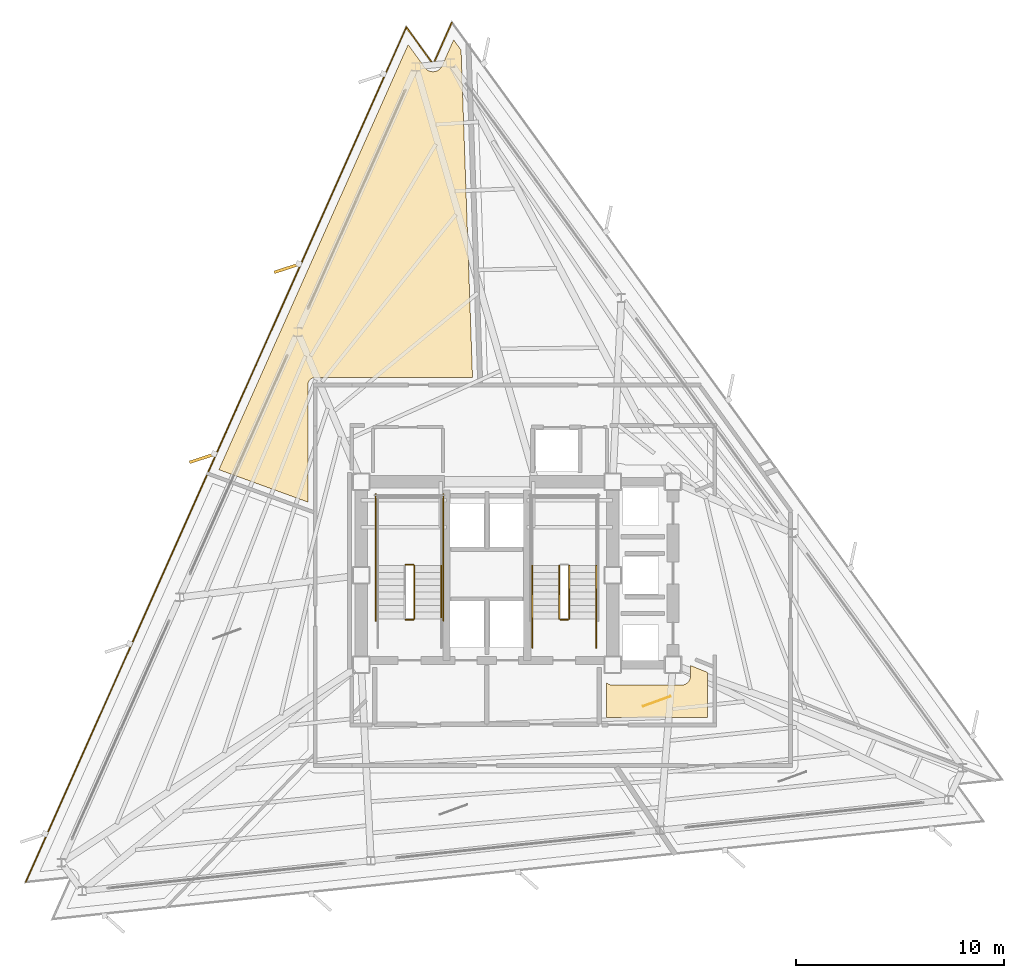
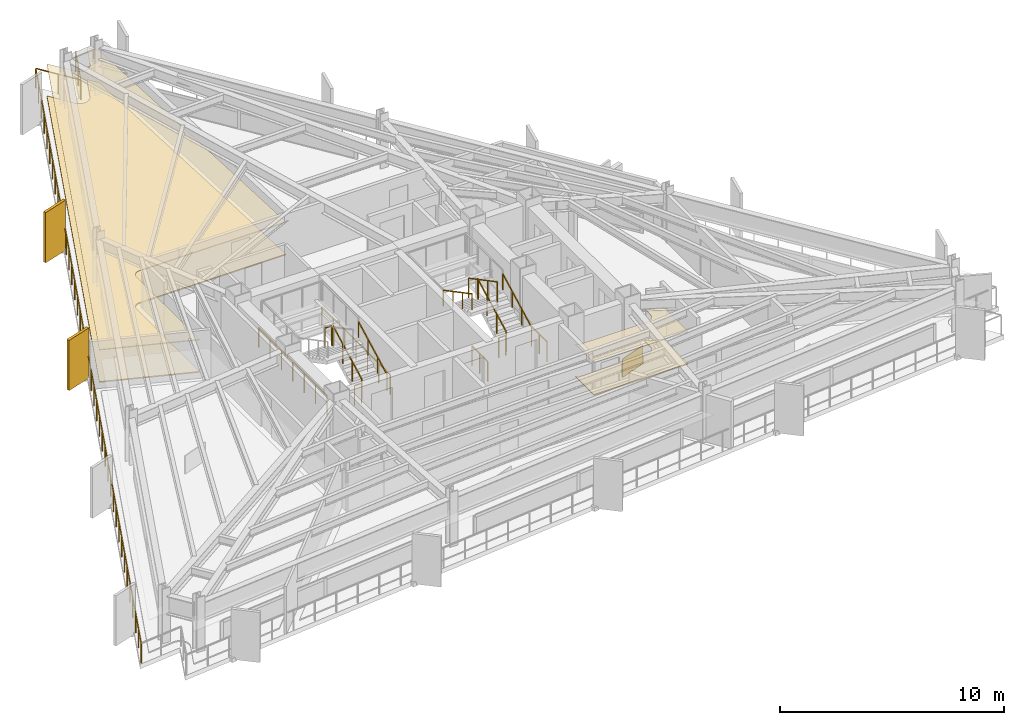
# One storey, part 11 of 13: 14 railings, 5 coverings, 2 shading devices.
"""IFC4 building model written with IfcOpenShell, lengths in metres."""

from ifc_helpers import new_model, si_unit, direction, frame, origin, origin_2d, place, context, subcontext, project, spatial, polyline, rectangle, outline, extrude, material, layer, layer_set, type_object, element, save


model = new_model("IFC4")

# Units and contexts
model_context = context("Model", 3, precision=1e-05, world=origin(), true_north=direction((0.0, 1.0)))
body_context = subcontext(model_context, "Body", "Model", "MODEL_VIEW")
ifc_project = project(units=[si_unit("LENGTHUNIT", "METRE"), si_unit("AREAUNIT", "SQUARE_METRE"), si_unit("VOLUMEUNIT", "CUBIC_METRE"), si_unit("PLANEANGLEUNIT", "RADIAN"), si_unit("MASSUNIT", "GRAM", prefix="KILO")], contexts=[model_context])

# Site, building, storey
site_placement = place(None, origin())
site = spatial("IfcSite", under=ifc_project, at=site_placement, CompositionType="ELEMENT")
building_placement = place(site_placement, origin())
building = spatial("IfcBuilding", under=site, at=building_placement, Name="Rocaltana Carrier Exchange", CompositionType="ELEMENT")
storey_placement = place(building_placement, frame((0.0, 0.0, 122.8798828125)))
storey = spatial("IfcBuildingStorey", under=building, at=storey_placement, Name="L38", CompositionType="ELEMENT", Elevation=122.8798828125)

# Coverings
ifc_material_1 = material(Name="Calcium Sulphate & Aluminium Pedestal", Category="aluminium")
ifc_layer_1 = layer(ifc_material_1, 0.06005859375)
ifc_layer_set_1 = layer_set([ifc_layer_1], Name="Calcium Sulphate & Aluminium Pedestal")
covering_type_1 = type_object("IfcCoveringType", Name="Anti-Static Raised Exchange Access Floor 60", PredefinedType="FLOORING", material=ifc_layer_set_1)
covering_1_placement = place(storey_placement, origin())
element("IfcCovering", 1, at=covering_1_placement, inside=storey, type_object=covering_type_1, Name="L38 Cloud Architecture Office Finish Floor", PredefinedType="FLOORING", context=body_context, shape_type="SweptSolid", body=[
    extrude(outline(polyline([(5.739990234375, -6.840087890625), (5.739990234375, -5.161865234375), (5.748779296875, -5.170654296875), (5.760498046875, -5.18115234375), (5.78173828125, -5.198486328125), (5.794189453125, -5.2080078125), (5.817138671875, -5.22314453125), (5.83056640625, -5.231201171875), (5.85498046875, -5.244140625), (5.869140625, -5.2509765625), (5.894287109375, -5.261474609375), (5.9091796875, -5.2666015625), (5.935546875, -5.274658203125), (5.95068359375, -5.278564453125), (5.977783203125, -5.283935546875), (5.9931640625, -5.2861328125), (6.0205078125, -5.288818359375), (6.036376953125, -5.289794921875), (6.050048828125, -5.2900390625), (9.35009765625, -5.2900390625), (9.36376953125, -5.289794921875), (9.37939453125, -5.288818359375), (9.40673828125, -5.2861328125), (9.42236328125, -5.283935546875), (9.44921875, -5.278564453125), (9.464599609375, -5.274658203125), (9.49072265625, -5.2666015625), (9.505615234375, -5.261474609375), (9.531005859375, -5.2509765625), (9.545166015625, -5.244140625), (9.5693359375, -5.231201171875), (9.582763671875, -5.22314453125), (9.605712890625, -5.2080078125), (9.618408203125, -5.198486328125), (9.639404296875, -5.18115234375), (9.651123046875, -5.170654296875), (9.670654296875, -5.151123046875), (9.68115234375, -5.139404296875), (9.698486328125, -5.118408203125), (9.7080078125, -5.105712890625), (9.72314453125, -5.082763671875), (9.731201171875, -5.0693359375), (9.744140625, -5.045166015625), (9.7509765625, -5.031005859375), (9.761474609375, -5.005615234375), (9.7666015625, -4.99072265625), (9.774658203125, -4.964599609375), (9.778564453125, -4.94921875), (9.783935546875, -4.92236328125), (9.7861328125, -4.90673828125), (9.788818359375, -4.87939453125), (9.789794921875, -4.86376953125), (9.7900390625, -4.85009765625), (9.7900390625, -4.34375), (10.60009765625, -4.6708984375), (10.60009765625, -6.840087890625), (5.739990234375, -6.840087890625)])), origin(), (0.0, 0.0, 1.0), 0.06005859375),
])
covering_2_placement = place(storey_placement, origin())
element("IfcCovering", 2, at=covering_2_placement, inside=storey, type_object=covering_type_1, Name="L38 Quiet Focus Lounge Finish Floor", PredefinedType="FLOORING", context=body_context, shape_type="SweptSolid", body=[
    extrude(outline(polyline([(-3.787841796875, 25.51513671875), (-2.9833984375, 24.407958984375), (-2.974853515625, 24.39697265625), (-2.96240234375, 24.38134765625), (-2.943603515625, 24.360595703125), (-2.9296875, 24.34619140625), (-2.9091796875, 24.327392578125), (-2.893798828125, 24.314697265625), (-2.87158203125, 24.2978515625), (-2.85498046875, 24.286865234375), (-2.8310546875, 24.272216796875), (-2.8134765625, 24.262939453125), (-2.788330078125, 24.2509765625), (-2.77001953125, 24.243408203125), (-2.74365234375, 24.23388671875), (-2.724609375, 24.22802734375), (-2.697509765625, 24.22119140625), (-2.677978515625, 24.217529296875), (-2.650390625, 24.21337890625), (-2.630615234375, 24.211669921875), (-2.6025390625, 24.210205078125), (-2.58251953125, 24.21044921875), (-2.5546875, 24.2119140625), (-2.534912109375, 24.214111328125), (-2.50732421875, 24.21826171875), (-2.48779296875, 24.222412109375), (-2.460693359375, 24.2294921875), (-2.44189453125, 24.2353515625), (-2.41552734375, 24.2451171875), (-2.397216796875, 24.2529296875), (-2.372314453125, 24.26513671875), (-2.354736328125, 24.274658203125), (-2.3310546875, 24.289306640625), (-2.314697265625, 24.30078125), (-2.29248046875, 24.317626953125), (-2.277099609375, 24.33056640625), (-2.2568359375, 24.349609375), (-2.242919921875, 24.364013671875), (-2.224609375, 24.385009765625), (-2.212158203125, 24.400634765625), (-2.196044921875, 24.42333984375), (-2.185302734375, 24.440185546875), (-2.17138671875, 24.464599609375), (-2.16259765625, 24.482421875), (-2.156494140625, 24.494873046875), (-1.599853515625, 25.7451171875), (-1.2421875, 25.252685546875), (-0.6923828125, 9.510009765625), (-8.25, 9.510009765625), (-8.263671875, 9.509765625), (-8.271484375, 9.50927734375), (-8.298828125, 9.506591796875), (-8.306640625, 9.50537109375), (-8.33349609375, 9.5), (-8.34130859375, 9.498291015625), (-8.36767578125, 9.490234375), (-8.375, 9.487548828125), (-8.400390625, 9.47705078125), (-8.407470703125, 9.4736328125), (-8.431640625, 9.460693359375), (-8.4384765625, 9.456787109375), (-8.461181640625, 9.44140625), (-8.467529296875, 9.436767578125), (-8.48876953125, 9.419189453125), (-8.49462890625, 9.4140625), (-8.513916015625, 9.39453125), (-8.519287109375, 9.388916015625), (-8.53662109375, 9.367431640625), (-8.54150390625, 9.361083984375), (-8.556640625, 9.33837890625), (-8.560791015625, 9.331787109375), (-8.57373046875, 9.307373046875), (-8.576904296875, 9.30029296875), (-8.58740234375, 9.27490234375), (-8.590087890625, 9.267578125), (-8.59814453125, 9.2412109375), (-8.60009765625, 9.233642578125), (-8.60546875, 9.206787109375), (-8.606689453125, 9.198974609375), (-8.609375, 9.171630859375), (-8.609619140625, 9.163818359375), (-8.610107421875, 9.14990234375), (-8.610107421875, 3.516845703125), (-12.888671875, 5.07421875), (-3.787841796875, 25.51513671875)])), origin(), (0.0, 0.0, 1.0), 0.06005859375),
])
ifc_material_2 = material(Name="Mineral Fibre & Powder-Coated Aluminium", Category="aluminium")
ifc_layer_2 = layer(ifc_material_2, 0.044921875)
ifc_layer_set_2 = layer_set([ifc_layer_2], Name="Mineral Fibre & Powder-Coated Aluminium")
covering_type_2 = type_object("IfcCoveringType", Name="Micro-Perforated Acoustic Ceiling 45", PredefinedType="CEILING", material=ifc_layer_set_2)
covering_3_placement = place(storey_placement, frame((0.0, 0.0, 1.76318359375)))
element("IfcCovering", 3, at=covering_3_placement, inside=storey, type_object=covering_type_2, Name="L38 Cloud Architecture Office Acoustic Ceiling", PredefinedType="CEILING", context=body_context, shape_type="SweptSolid", body=[
    extrude(outline(polyline([(5.739990234375, -6.840087890625), (5.739990234375, -5.161865234375), (5.748779296875, -5.170654296875), (5.760498046875, -5.18115234375), (5.78173828125, -5.198486328125), (5.794189453125, -5.2080078125), (5.817138671875, -5.22314453125), (5.83056640625, -5.231201171875), (5.85498046875, -5.244140625), (5.869140625, -5.2509765625), (5.894287109375, -5.261474609375), (5.9091796875, -5.2666015625), (5.935546875, -5.274658203125), (5.95068359375, -5.278564453125), (5.977783203125, -5.283935546875), (5.9931640625, -5.2861328125), (6.0205078125, -5.288818359375), (6.036376953125, -5.289794921875), (6.050048828125, -5.2900390625), (9.35009765625, -5.2900390625), (9.36376953125, -5.289794921875), (9.37939453125, -5.288818359375), (9.40673828125, -5.2861328125), (9.42236328125, -5.283935546875), (9.44921875, -5.278564453125), (9.464599609375, -5.274658203125), (9.49072265625, -5.2666015625), (9.505615234375, -5.261474609375), (9.531005859375, -5.2509765625), (9.545166015625, -5.244140625), (9.5693359375, -5.231201171875), (9.582763671875, -5.22314453125), (9.605712890625, -5.2080078125), (9.618408203125, -5.198486328125), (9.639404296875, -5.18115234375), (9.651123046875, -5.170654296875), (9.670654296875, -5.151123046875), (9.68115234375, -5.139404296875), (9.698486328125, -5.118408203125), (9.7080078125, -5.105712890625), (9.72314453125, -5.082763671875), (9.731201171875, -5.0693359375), (9.744140625, -5.045166015625), (9.7509765625, -5.031005859375), (9.761474609375, -5.005615234375), (9.7666015625, -4.99072265625), (9.774658203125, -4.964599609375), (9.778564453125, -4.94921875), (9.783935546875, -4.92236328125), (9.7861328125, -4.90673828125), (9.788818359375, -4.87939453125), (9.789794921875, -4.86376953125), (9.7900390625, -4.85009765625), (9.7900390625, -4.34375), (10.60009765625, -4.6708984375), (10.60009765625, -6.840087890625), (5.739990234375, -6.840087890625)])), origin(), (0.0, 0.0, 1.0), 0.044921875),
])
covering_4_placement = place(storey_placement, frame((0.0, 0.0, 1.76318359375)))
element("IfcCovering", 4, at=covering_4_placement, inside=storey, type_object=covering_type_2, Name="L38 Quiet Focus Lounge Acoustic Ceiling", PredefinedType="CEILING", context=body_context, shape_type="SweptSolid", body=[
    extrude(outline(polyline([(-3.787841796875, 25.51513671875), (-2.9833984375, 24.407958984375), (-2.974853515625, 24.39697265625), (-2.96240234375, 24.38134765625), (-2.943603515625, 24.360595703125), (-2.9296875, 24.34619140625), (-2.9091796875, 24.327392578125), (-2.893798828125, 24.314697265625), (-2.87158203125, 24.2978515625), (-2.85498046875, 24.286865234375), (-2.8310546875, 24.272216796875), (-2.8134765625, 24.262939453125), (-2.788330078125, 24.2509765625), (-2.77001953125, 24.243408203125), (-2.74365234375, 24.23388671875), (-2.724609375, 24.22802734375), (-2.697509765625, 24.22119140625), (-2.677978515625, 24.217529296875), (-2.650390625, 24.21337890625), (-2.630615234375, 24.211669921875), (-2.6025390625, 24.210205078125), (-2.58251953125, 24.21044921875), (-2.5546875, 24.2119140625), (-2.534912109375, 24.214111328125), (-2.50732421875, 24.21826171875), (-2.48779296875, 24.222412109375), (-2.460693359375, 24.2294921875), (-2.44189453125, 24.2353515625), (-2.41552734375, 24.2451171875), (-2.397216796875, 24.2529296875), (-2.372314453125, 24.26513671875), (-2.354736328125, 24.274658203125), (-2.3310546875, 24.289306640625), (-2.314697265625, 24.30078125), (-2.29248046875, 24.317626953125), (-2.277099609375, 24.33056640625), (-2.2568359375, 24.349609375), (-2.242919921875, 24.364013671875), (-2.224609375, 24.385009765625), (-2.212158203125, 24.400634765625), (-2.196044921875, 24.42333984375), (-2.185302734375, 24.440185546875), (-2.17138671875, 24.464599609375), (-2.16259765625, 24.482421875), (-2.156494140625, 24.494873046875), (-1.599853515625, 25.7451171875), (-1.2421875, 25.252685546875), (-0.6923828125, 9.510009765625), (-8.25, 9.510009765625), (-8.263671875, 9.509765625), (-8.271484375, 9.50927734375), (-8.298828125, 9.506591796875), (-8.306640625, 9.50537109375), (-8.33349609375, 9.5), (-8.34130859375, 9.498291015625), (-8.36767578125, 9.490234375), (-8.375, 9.487548828125), (-8.400390625, 9.47705078125), (-8.407470703125, 9.4736328125), (-8.431640625, 9.460693359375), (-8.4384765625, 9.456787109375), (-8.461181640625, 9.44140625), (-8.467529296875, 9.436767578125), (-8.48876953125, 9.419189453125), (-8.49462890625, 9.4140625), (-8.513916015625, 9.39453125), (-8.519287109375, 9.388916015625), (-8.53662109375, 9.367431640625), (-8.54150390625, 9.361083984375), (-8.556640625, 9.33837890625), (-8.560791015625, 9.331787109375), (-8.57373046875, 9.307373046875), (-8.576904296875, 9.30029296875), (-8.58740234375, 9.27490234375), (-8.590087890625, 9.267578125), (-8.59814453125, 9.2412109375), (-8.60009765625, 9.233642578125), (-8.60546875, 9.206787109375), (-8.606689453125, 9.198974609375), (-8.609375, 9.171630859375), (-8.609619140625, 9.163818359375), (-8.610107421875, 9.14990234375), (-8.610107421875, 3.516845703125), (-12.888671875, 5.07421875), (-3.787841796875, 25.51513671875)])), origin(), (0.0, 0.0, 1.0), 0.044921875),
])

# Railings
ifc_material_3 = material(Name="Brushed Architectural Stainless Tube", Category="steel")
ifc_layer_3 = layer(ifc_material_3, 0.048095703125)
ifc_layer_set_3 = layer_set([ifc_layer_3], Name="Brushed Architectural Stainless Tube")
railing_type_1 = type_object("IfcRailingType", Name="Stair Wall Handrail 920", PredefinedType="HANDRAIL", material=ifc_layer_set_3)
for number, where, name in (
    (5, (-2.18994140625, -2.10009765625, 0.1689453125), "L38 ST-1 stair handrail 1"),
    (6, (5.25, -2.10009765625, 0.1689453125), "L38 ST-2 stair handrail 1"),
):
    element("IfcRailing", number, at=place(storey_placement, frame(where)), inside=storey, type_object=railing_type_1, Name=name, PredefinedType="HANDRAIL", context=body_context, shape_type="SweptSolid", body=[
        extrude(rectangle(XDim=0.048095703125, YDim=0.048095703125, at=origin_2d()), frame((0.0, 0.0, 0.8759765625), z_axis=(0.0, 0.884394423565, 0.466740295633), x_axis=(-1.0, 0.0, 0.0)), (0.0, 0.0, 1.0), 2.894775390625),
        extrude(rectangle(XDim=0.0419921875, YDim=0.0419921875, at=origin_2d()), origin(), (0.0, 0.0, 1.0), 0.851806640625),
        extrude(rectangle(XDim=0.0419921875, YDim=0.0419921875, at=origin_2d()), frame((0.0, 0.853271484375, 0.450439453125)), (0.0, 0.0, 1.0), 0.851806640625),
        extrude(rectangle(XDim=0.0419921875, YDim=0.0419921875, at=origin_2d()), frame((0.0, 1.706787109375, 0.900634765625)), (0.0, 0.0, 1.0), 0.851806640625),
        extrude(rectangle(XDim=0.0419921875, YDim=0.0419921875, at=origin_2d()), frame((0.0, 2.56005859375, 1.35107421875)), (0.0, 0.0, 1.0), 0.851806640625),
    ])
railing_1_placement = place(storey_placement, frame((2.18994140625, 0.4599609375, 1.68896484375)))
element("IfcRailing", 7, at=railing_1_placement, inside=storey, type_object=railing_type_1, Name="L38 ST-2 stair handrail 2", PredefinedType="HANDRAIL", context=body_context, shape_type="SweptSolid", body=[
    extrude(rectangle(XDim=0.048095703125, YDim=0.048095703125, at=origin_2d()), frame((0.0, 0.0, 0.8759765625), z_axis=(0.0, -0.884394423565, 0.466740295633), x_axis=(1.0, 0.0, 0.0)), (0.0, 0.0, 1.0), 2.894775390625),
    extrude(rectangle(XDim=0.0419921875, YDim=0.0419921875, at=origin_2d()), origin(), (0.0, 0.0, 1.0), 0.851806640625),
    extrude(rectangle(XDim=0.0419921875, YDim=0.0419921875, at=origin_2d()), frame((0.0, -0.853271484375, 0.450439453125)), (0.0, 0.0, 1.0), 0.851806640625),
    extrude(rectangle(XDim=0.0419921875, YDim=0.0419921875, at=origin_2d()), frame((0.0, -1.706787109375, 0.900634765625)), (0.0, 0.0, 1.0), 0.851806640625),
    extrude(rectangle(XDim=0.0419921875, YDim=0.0419921875, at=origin_2d()), frame((0.0, -2.56005859375, 1.35107421875)), (0.0, 0.0, 1.0), 0.851806640625),
])
ifc_material_4 = material(Name="Powder-Coated Aluminium 6063-T6", Category="aluminium")
ifc_layer_4 = layer(ifc_material_4, 0.048095703125)
ifc_layer_set_4 = layer_set([ifc_layer_4], Name="Powder-Coated Aluminium 6063-T6")
railing_type_2 = type_object("IfcRailingType", Name="Stair Well Guardrail 1100", PredefinedType="GUARDRAIL", material=ifc_layer_set_4)
railing_2_placement = place(storey_placement, frame((-3.489990234375, -2.10009765625, 0.1689453125)))
element("IfcRailing", 8, at=railing_2_placement, inside=storey, type_object=railing_type_2, Name="L38 ST-1 stair guard 1", PredefinedType="GUARDRAIL", context=body_context, shape_type="SweptSolid", body=[
    extrude(rectangle(XDim=0.048095703125, YDim=0.048095703125, at=origin_2d()), frame((0.0, 0.0, 1.076171875), z_axis=(0.0, 0.884394423565, 0.466740295633), x_axis=(-1.0, 0.0, 0.0)), (0.0, 0.0, 1.0), 2.894775390625),
    extrude(rectangle(XDim=0.0419921875, YDim=0.0419921875, at=origin_2d()), origin(), (0.0, 0.0, 1.0), 1.052001953125),
    extrude(rectangle(XDim=0.0419921875, YDim=0.0419921875, at=origin_2d()), frame((0.0, 0.853271484375, 0.450439453125)), (0.0, 0.0, 1.0), 1.052001953125),
    extrude(rectangle(XDim=0.0419921875, YDim=0.0419921875, at=origin_2d()), frame((0.0, 1.706787109375, 0.900634765625)), (0.0, 0.0, 1.0), 1.052001953125),
    extrude(rectangle(XDim=0.0419921875, YDim=0.0419921875, at=origin_2d()), frame((0.0, 2.56005859375, 1.35107421875)), (0.0, 0.0, 1.0), 1.052001953125),
])
for number, where, name in (
    (9, (-3.5400390625, 0.510009765625, 1.52001953125), "L38 ST-1 stair guard 2"),
    (10, (-3.5400390625, -2.14990234375, 0.0), "L38 ST-1 stair guard 7"),
):
    element("IfcRailing", number, at=place(storey_placement, frame(where)), inside=storey, type_object=railing_type_2, Name=name, PredefinedType="GUARDRAIL", context=body_context, shape_type="SweptSolid", body=[
        extrude(rectangle(XDim=0.048095703125, YDim=0.048095703125, at=origin_2d()), frame((0.0, 0.0, 1.076171875), z_axis=(-1.0, 0.0, 0.0), x_axis=(0.0, -1.0, 0.0)), (0.0, 0.0, 1.0), 0.35986328125),
        extrude(rectangle(XDim=0.0419921875, YDim=0.0419921875, at=origin_2d()), origin(), (0.0, 0.0, 1.0), 1.052001953125),
        extrude(rectangle(XDim=0.0419921875, YDim=0.0419921875, at=origin_2d()), frame((-0.35986328125, 0.0, 0.0)), (0.0, 0.0, 1.0), 1.052001953125),
    ])
for number, where, name in (
    (11, (-2.090087890625, -2.199951171875, 0.0), "L38 ST-1 stair guard 10"),
    (12, (-5.35009765625, -2.199951171875, 0.0), "L38 ST-1 stair guard 11"),
):
    element("IfcRailing", number, at=place(storey_placement, frame(where)), inside=storey, type_object=railing_type_2, Name=name, PredefinedType="GUARDRAIL", context=body_context, shape_type="SweptSolid", body=[
        extrude(rectangle(XDim=0.048095703125, YDim=0.048095703125, at=origin_2d()), frame((0.0, 0.0, 1.076171875), z_axis=(0.0, 1.0, 0.0), x_axis=(-1.0, 0.0, 0.0)), (0.0, 0.0, 1.0), 6.099853515625),
        extrude(rectangle(XDim=0.0419921875, YDim=0.0419921875, at=origin_2d()), origin(), (0.0, 0.0, 1.0), 1.052001953125),
        extrude(rectangle(XDim=0.0419921875, YDim=0.0419921875, at=origin_2d()), frame((0.0, 1.0166015625, 0.0)), (0.0, 0.0, 1.0), 1.052001953125),
        extrude(rectangle(XDim=0.0419921875, YDim=0.0419921875, at=origin_2d()), frame((0.0, 2.033203125, 0.0)), (0.0, 0.0, 1.0), 1.052001953125),
        extrude(rectangle(XDim=0.0419921875, YDim=0.0419921875, at=origin_2d()), frame((0.0, 3.0498046875, 0.0)), (0.0, 0.0, 1.0), 1.052001953125),
        extrude(rectangle(XDim=0.0419921875, YDim=0.0419921875, at=origin_2d()), frame((0.0, 4.066650390625, 0.0)), (0.0, 0.0, 1.0), 1.052001953125),
        extrude(rectangle(XDim=0.0419921875, YDim=0.0419921875, at=origin_2d()), frame((0.0, 5.083251953125, 0.0)), (0.0, 0.0, 1.0), 1.052001953125),
        extrude(rectangle(XDim=0.0419921875, YDim=0.0419921875, at=origin_2d()), frame((0.0, 6.099853515625, 0.0)), (0.0, 0.0, 1.0), 1.052001953125),
    ])
railing_3_placement = place(storey_placement, frame((3.949951171875, -2.10009765625, 0.1689453125)))
element("IfcRailing", 13, at=railing_3_placement, inside=storey, type_object=railing_type_2, Name="L38 ST-2 stair guard 1", PredefinedType="GUARDRAIL", context=body_context, shape_type="SweptSolid", body=[
    extrude(rectangle(XDim=0.048095703125, YDim=0.048095703125, at=origin_2d()), frame((0.0, 0.0, 1.076171875), z_axis=(0.0, 0.884394423565, 0.466740295633), x_axis=(-1.0, 0.0, 0.0)), (0.0, 0.0, 1.0), 2.894775390625),
    extrude(rectangle(XDim=0.0419921875, YDim=0.0419921875, at=origin_2d()), origin(), (0.0, 0.0, 1.0), 1.052001953125),
    extrude(rectangle(XDim=0.0419921875, YDim=0.0419921875, at=origin_2d()), frame((0.0, 0.853271484375, 0.450439453125)), (0.0, 0.0, 1.0), 1.052001953125),
    extrude(rectangle(XDim=0.0419921875, YDim=0.0419921875, at=origin_2d()), frame((0.0, 1.706787109375, 0.900634765625)), (0.0, 0.0, 1.0), 1.052001953125),
    extrude(rectangle(XDim=0.0419921875, YDim=0.0419921875, at=origin_2d()), frame((0.0, 2.56005859375, 1.35107421875)), (0.0, 0.0, 1.0), 1.052001953125),
])
railing_4_placement = place(storey_placement, frame((3.489990234375, 0.4599609375, 1.68896484375)))
element("IfcRailing", 14, at=railing_4_placement, inside=storey, type_object=railing_type_2, Name="L38 ST-2 stair guard 6", PredefinedType="GUARDRAIL", context=body_context, shape_type="SweptSolid", body=[
    extrude(rectangle(XDim=0.048095703125, YDim=0.048095703125, at=origin_2d()), frame((0.0, 0.0, 1.076171875), z_axis=(0.0, -0.884394423565, 0.466740295633), x_axis=(1.0, 0.0, 0.0)), (0.0, 0.0, 1.0), 2.894775390625),
    extrude(rectangle(XDim=0.0419921875, YDim=0.0419921875, at=origin_2d()), origin(), (0.0, 0.0, 1.0), 1.052001953125),
    extrude(rectangle(XDim=0.0419921875, YDim=0.0419921875, at=origin_2d()), frame((0.0, -0.853271484375, 0.450439453125)), (0.0, 0.0, 1.0), 1.052001953125),
    extrude(rectangle(XDim=0.0419921875, YDim=0.0419921875, at=origin_2d()), frame((0.0, -1.706787109375, 0.900634765625)), (0.0, 0.0, 1.0), 1.052001953125),
    extrude(rectangle(XDim=0.0419921875, YDim=0.0419921875, at=origin_2d()), frame((0.0, -2.56005859375, 1.35107421875)), (0.0, 0.0, 1.0), 1.052001953125),
])
railing_5_placement = place(storey_placement, frame((3.89990234375, -2.14990234375, 0.0)))
element("IfcRailing", 15, at=railing_5_placement, inside=storey, type_object=railing_type_2, Name="L38 ST-2 stair guard 7", PredefinedType="GUARDRAIL", context=body_context, shape_type="SweptSolid", body=[
    extrude(rectangle(XDim=0.048095703125, YDim=0.048095703125, at=origin_2d()), frame((0.0, 0.0, 1.076171875), z_axis=(-1.0, 0.0, 0.0), x_axis=(0.0, -1.0, 0.0)), (0.0, 0.0, 1.0), 0.35986328125),
    extrude(rectangle(XDim=0.0419921875, YDim=0.0419921875, at=origin_2d()), origin(), (0.0, 0.0, 1.0), 1.052001953125),
    extrude(rectangle(XDim=0.0419921875, YDim=0.0419921875, at=origin_2d()), frame((-0.35986328125, 0.0, 0.0)), (0.0, 0.0, 1.0), 1.052001953125),
])
for number, where, name in (
    (16, (5.25, -3.5, 0.0), "L38 ST-2 stair guard 8"),
    (17, (2.18994140625, -3.5, 0.0), "L38 ST-2 stair guard 9"),
):
    element("IfcRailing", number, at=place(storey_placement, frame(where)), inside=storey, type_object=railing_type_2, Name=name, PredefinedType="GUARDRAIL", context=body_context, shape_type="SweptSolid", body=[
        extrude(rectangle(XDim=0.048095703125, YDim=0.048095703125, at=origin_2d()), frame((0.0, 0.0, 1.076171875), z_axis=(0.0, 1.0, 0.0), x_axis=(-1.0, 0.0, 0.0)), (0.0, 0.0, 1.0), 1.39990234375),
        extrude(rectangle(XDim=0.0419921875, YDim=0.0419921875, at=origin_2d()), origin(), (0.0, 0.0, 1.0), 1.052001953125),
        extrude(rectangle(XDim=0.0419921875, YDim=0.0419921875, at=origin_2d()), frame((0.0, 0.699951171875, 0.0)), (0.0, 0.0, 1.0), 1.052001953125),
        extrude(rectangle(XDim=0.0419921875, YDim=0.0419921875, at=origin_2d()), frame((0.0, 1.39990234375, 0.0)), (0.0, 0.0, 1.0), 1.052001953125),
    ])

# Covering
ifc_material_5 = material(Name="Honed Piedra Muneca Sandstone", Category="masonry")
ifc_layer_5 = layer(ifc_material_5, 0.034912109375)
ifc_layer_set_5 = layer_set([ifc_layer_5], Name="Honed Piedra Muneca Sandstone")
covering_type_3 = type_object("IfcCoveringType", Name="Stone Facade Cladding 35", PredefinedType="CLADDING", material=ifc_layer_set_5)
covering_5_placement = place(storey_placement, frame((8.169921875, -6.06494140625, 0.0), z_axis=(0.0, 0.0, 1.0), x_axis=(0.939692620786, 0.342020143326, 0.0)))
element("IfcCovering", 18, at=covering_5_placement, inside=storey, type_object=covering_type_3, Name="L38 Stone Facade Cladding Panel 3", PredefinedType="CLADDING", context=body_context, shape_type="SweptSolid", body=[
    extrude(rectangle(XDim=1.39990234375, YDim=0.034912109375, at=origin_2d()), origin(), (0.0, 0.0, 1.0), 1.050048828125),
])

# Shading devices
ifc_material_6 = material(Name="Honed Bogota Sandstone & Concrete C45/55", Category="masonry")
ifc_layer_6 = layer(ifc_material_6, 0.139892578125)
ifc_layer_set_6 = layer_set([ifc_layer_6], Name="Honed Bogota Sandstone & Concrete C45/55")
shading_device_type = type_object("IfcShadingDeviceType", Name="Vertical Sandstone Shading Fin 1320x140", PredefinedType="USERDEFINED", material=ifc_layer_set_6)
for number, where, z_axis, x_axis, name in (
    (19, (-9.602783203125, 14.767578125, -0.1201171875), (0.0, 0.0, 1.0), (-0.951056516295, -0.309016994375, 0.0), "L38 Sandstone Vertical Fin F2-02"),
    (20, (-13.670166015625, 5.632080078125, -0.1201171875), (0.0, 0.0, 1.0), (-0.951056516295, -0.309016994375, 0.0), "L38 Sandstone Vertical Fin F2-03"),
):
    element("IfcShadingDevice", number, at=place(storey_placement, frame(where, z_axis=z_axis, x_axis=x_axis)), inside=storey, type_object=shading_device_type, Name=name, ObjectType="FIN", PredefinedType="USERDEFINED", context=body_context, shape_type="SweptSolid", body=[
        extrude(rectangle(XDim=1.320068359375, YDim=0.139892578125, at=origin_2d()), origin(), (0.0, 0.0, 1.0), 2.738037109375),
    ])

# Railing
ifc_material_7 = material(Name="Powder-Coated Aluminium 6063-T6", Category="aluminium")
ifc_layer_7 = layer(ifc_material_7, 0.06005859375)
ifc_layer_set_7 = layer_set([ifc_layer_7], Name="Powder-Coated Aluminium 6063-T6")
railing_type_3 = type_object("IfcRailingType", Name="Wind-Floor & Terrace Perimeter Guardrail 1100", PredefinedType="GUARDRAIL", material=ifc_layer_set_7)
railing_6_placement = place(storey_placement, frame((-22.175537109375, -14.751953125, 0.0)))
element("IfcRailing", 21, at=railing_6_placement, inside=storey, type_object=railing_type_3, Name="L38 Perimeter Balcony Guardrail 2", PredefinedType="GUARDRAIL", context=body_context, shape_type="SweptSolid", body=[
    extrude(rectangle(XDim=0.048095703125, YDim=0.048095703125, at=origin_2d()), frame((0.0, 0.0, 1.076171875), z_axis=(0.406732474308, 0.913547313686, 0.0), x_axis=(-0.913547313686, 0.406732474308, 0.0)), (0.0, 0.0, 1.0), 44.9921875),
    extrude(rectangle(XDim=0.048095703125, YDim=0.048095703125, at=origin_2d()), frame((18.2998046875, 41.1025390625, 1.076171875), z_axis=(0.587821928992, -0.808990345923, 0.0), x_axis=(0.808990345923, 0.587821928992, 0.0)), (0.0, 0.0, 1.0), 2.199951171875),
    extrude(rectangle(XDim=0.048095703125, YDim=0.048095703125, at=origin_2d()), frame((19.593017578125, 39.32275390625, 1.076171875), z_axis=(0.406725294076, 0.913550510459, 0.0), x_axis=(-0.913550510459, 0.406725294076, 0.0)), (0.0, 0.0, 1.0), 2.199951171875),
    extrude(rectangle(XDim=0.0419921875, YDim=0.0419921875, at=origin_2d()), origin(), (0.0, 0.0, 1.0), 1.052001953125),
    extrude(rectangle(XDim=0.0419921875, YDim=0.0419921875, at=origin_2d()), frame((0.481689453125, 1.08154296875, 0.0)), (0.0, 0.0, 1.0), 1.052001953125),
    extrude(rectangle(XDim=0.0419921875, YDim=0.0419921875, at=origin_2d()), frame((0.963134765625, 2.163330078125, 0.0)), (0.0, 0.0, 1.0), 1.052001953125),
    extrude(rectangle(XDim=0.0419921875, YDim=0.0419921875, at=origin_2d()), frame((1.44482421875, 3.244873046875, 0.0)), (0.0, 0.0, 1.0), 1.052001953125),
    extrude(rectangle(XDim=0.0419921875, YDim=0.0419921875, at=origin_2d()), frame((1.92626953125, 4.32666015625, 0.0)), (0.0, 0.0, 1.0), 1.052001953125),
    extrude(rectangle(XDim=0.0419921875, YDim=0.0419921875, at=origin_2d()), frame((2.407958984375, 5.408203125, 0.0)), (0.0, 0.0, 1.0), 1.052001953125),
    extrude(rectangle(XDim=0.0419921875, YDim=0.0419921875, at=origin_2d()), frame((2.889404296875, 6.489990234375, 0.0)), (0.0, 0.0, 1.0), 1.052001953125),
    extrude(rectangle(XDim=0.0419921875, YDim=0.0419921875, at=origin_2d()), frame((3.37109375, 7.571533203125, 0.0)), (0.0, 0.0, 1.0), 1.052001953125),
    extrude(rectangle(XDim=0.0419921875, YDim=0.0419921875, at=origin_2d()), frame((3.8525390625, 8.653076171875, 0.0)), (0.0, 0.0, 1.0), 1.052001953125),
    extrude(rectangle(XDim=0.0419921875, YDim=0.0419921875, at=origin_2d()), frame((4.334228515625, 9.73486328125, 0.0)), (0.0, 0.0, 1.0), 1.052001953125),
    extrude(rectangle(XDim=0.0419921875, YDim=0.0419921875, at=origin_2d()), frame((4.815673828125, 10.81640625, 0.0)), (0.0, 0.0, 1.0), 1.052001953125),
    extrude(rectangle(XDim=0.0419921875, YDim=0.0419921875, at=origin_2d()), frame((5.29736328125, 11.898193359375, 0.0)), (0.0, 0.0, 1.0), 1.052001953125),
    extrude(rectangle(XDim=0.0419921875, YDim=0.0419921875, at=origin_2d()), frame((5.77880859375, 12.979736328125, 0.0)), (0.0, 0.0, 1.0), 1.052001953125),
    extrude(rectangle(XDim=0.0419921875, YDim=0.0419921875, at=origin_2d()), frame((6.260498046875, 14.061279296875, 0.0)), (0.0, 0.0, 1.0), 1.052001953125),
    extrude(rectangle(XDim=0.0419921875, YDim=0.0419921875, at=origin_2d()), frame((6.741943359375, 15.14306640625, 0.0)), (0.0, 0.0, 1.0), 1.052001953125),
    extrude(rectangle(XDim=0.0419921875, YDim=0.0419921875, at=origin_2d()), frame((7.2236328125, 16.224609375, 0.0)), (0.0, 0.0, 1.0), 1.052001953125),
    extrude(rectangle(XDim=0.0419921875, YDim=0.0419921875, at=origin_2d()), frame((7.705078125, 17.306396484375, 0.0)), (0.0, 0.0, 1.0), 1.052001953125),
    extrude(rectangle(XDim=0.0419921875, YDim=0.0419921875, at=origin_2d()), frame((8.186767578125, 18.387939453125, 0.0)), (0.0, 0.0, 1.0), 1.052001953125),
    extrude(rectangle(XDim=0.0419921875, YDim=0.0419921875, at=origin_2d()), frame((8.668212890625, 19.4697265625, 0.0)), (0.0, 0.0, 1.0), 1.052001953125),
    extrude(rectangle(XDim=0.0419921875, YDim=0.0419921875, at=origin_2d()), frame((9.14990234375, 20.55126953125, 0.0)), (0.0, 0.0, 1.0), 1.052001953125),
    extrude(rectangle(XDim=0.0419921875, YDim=0.0419921875, at=origin_2d()), frame((9.631591796875, 21.6328125, 0.0)), (0.0, 0.0, 1.0), 1.052001953125),
    extrude(rectangle(XDim=0.0419921875, YDim=0.0419921875, at=origin_2d()), frame((10.113037109375, 22.714599609375, 0.0)), (0.0, 0.0, 1.0), 1.052001953125),
    extrude(rectangle(XDim=0.0419921875, YDim=0.0419921875, at=origin_2d()), frame((10.5947265625, 23.796142578125, 0.0)), (0.0, 0.0, 1.0), 1.052001953125),
    extrude(rectangle(XDim=0.0419921875, YDim=0.0419921875, at=origin_2d()), frame((11.076171875, 24.8779296875, 0.0)), (0.0, 0.0, 1.0), 1.052001953125),
    extrude(rectangle(XDim=0.0419921875, YDim=0.0419921875, at=origin_2d()), frame((11.557861328125, 25.95947265625, 0.0)), (0.0, 0.0, 1.0), 1.052001953125),
    extrude(rectangle(XDim=0.0419921875, YDim=0.0419921875, at=origin_2d()), frame((12.039306640625, 27.041259765625, 0.0)), (0.0, 0.0, 1.0), 1.052001953125),
    extrude(rectangle(XDim=0.0419921875, YDim=0.0419921875, at=origin_2d()), frame((12.52099609375, 28.122802734375, 0.0)), (0.0, 0.0, 1.0), 1.052001953125),
    extrude(rectangle(XDim=0.0419921875, YDim=0.0419921875, at=origin_2d()), frame((13.00244140625, 29.204345703125, 0.0)), (0.0, 0.0, 1.0), 1.052001953125),
    extrude(rectangle(XDim=0.0419921875, YDim=0.0419921875, at=origin_2d()), frame((13.484130859375, 30.2861328125, 0.0)), (0.0, 0.0, 1.0), 1.052001953125),
    extrude(rectangle(XDim=0.0419921875, YDim=0.0419921875, at=origin_2d()), frame((13.965576171875, 31.36767578125, 0.0)), (0.0, 0.0, 1.0), 1.052001953125),
    extrude(rectangle(XDim=0.0419921875, YDim=0.0419921875, at=origin_2d()), frame((14.447265625, 32.449462890625, 0.0)), (0.0, 0.0, 1.0), 1.052001953125),
    extrude(rectangle(XDim=0.0419921875, YDim=0.0419921875, at=origin_2d()), frame((14.9287109375, 33.531005859375, 0.0)), (0.0, 0.0, 1.0), 1.052001953125),
    extrude(rectangle(XDim=0.0419921875, YDim=0.0419921875, at=origin_2d()), frame((15.410400390625, 34.612548828125, 0.0)), (0.0, 0.0, 1.0), 1.052001953125),
    extrude(rectangle(XDim=0.0419921875, YDim=0.0419921875, at=origin_2d()), frame((15.891845703125, 35.6943359375, 0.0)), (0.0, 0.0, 1.0), 1.052001953125),
    extrude(rectangle(XDim=0.0419921875, YDim=0.0419921875, at=origin_2d()), frame((16.37353515625, 36.77587890625, 0.0)), (0.0, 0.0, 1.0), 1.052001953125),
    extrude(rectangle(XDim=0.0419921875, YDim=0.0419921875, at=origin_2d()), frame((16.85498046875, 37.857666015625, 0.0)), (0.0, 0.0, 1.0), 1.052001953125),
    extrude(rectangle(XDim=0.0419921875, YDim=0.0419921875, at=origin_2d()), frame((17.336669921875, 38.939208984375, 0.0)), (0.0, 0.0, 1.0), 1.052001953125),
    extrude(rectangle(XDim=0.0419921875, YDim=0.0419921875, at=origin_2d()), frame((17.818115234375, 40.02099609375, 0.0)), (0.0, 0.0, 1.0), 1.052001953125),
    extrude(rectangle(XDim=0.0419921875, YDim=0.0419921875, at=origin_2d()), frame((18.2998046875, 41.1025390625, 0.0)), (0.0, 0.0, 1.0), 1.052001953125),
    extrude(rectangle(XDim=0.0419921875, YDim=0.0419921875, at=origin_2d()), frame((18.9462890625, 40.212646484375, 0.0)), (0.0, 0.0, 1.0), 1.052001953125),
    extrude(rectangle(XDim=0.0419921875, YDim=0.0419921875, at=origin_2d()), frame((19.593017578125, 39.32275390625, 0.0)), (0.0, 0.0, 1.0), 1.052001953125),
    extrude(rectangle(XDim=0.0419921875, YDim=0.0419921875, at=origin_2d()), frame((20.04052734375, 40.32763671875, 0.0)), (0.0, 0.0, 1.0), 1.052001953125),
    extrude(rectangle(XDim=0.0419921875, YDim=0.0419921875, at=origin_2d()), frame((20.48779296875, 41.33251953125, 0.0)), (0.0, 0.0, 1.0), 1.052001953125),
])

save(model, "model.ifc")
